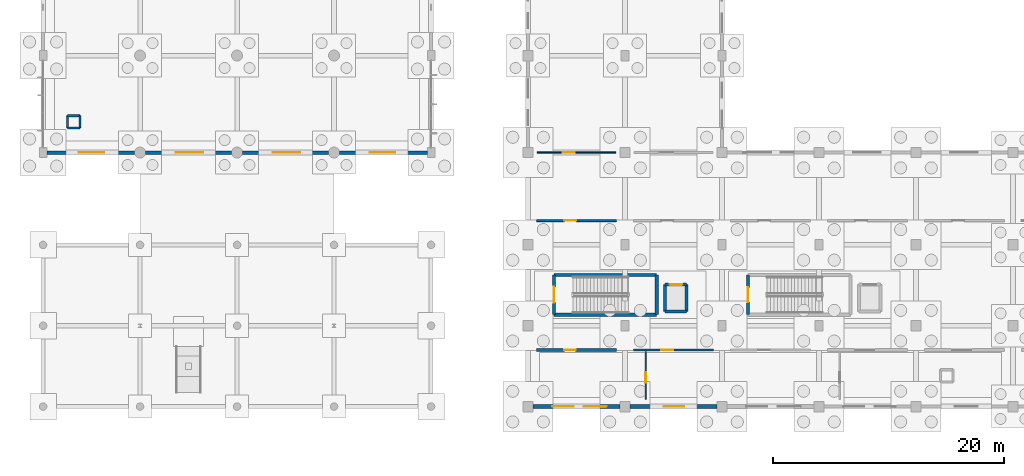
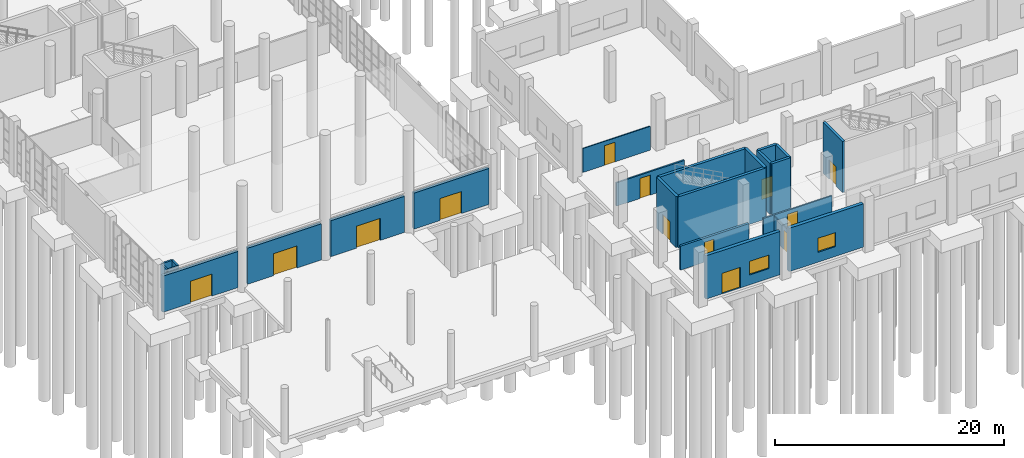
# One storey, part 50 of 83: 24 walls, 13 doors, 2 windows, 15 openings.
"""IFC4 building model written with IfcOpenShell, lengths in metres."""

import ifcopenshell
import ifcopenshell.guid

model = None  # the IFC model being written
_history = None  # IfcOwnerHistory: only IFC2X3 demands one
_inside = {}  # id of a spatial element -> (the spatial element, [elements in it])
_under = {}  # id of a project, library or spatial element -> (it, [spatial elements below it])
_declared = {}  # id of a project -> (the project, [libraries it declares])
_typed = {}  # id of a type object -> (the type object, [elements of that type])
_made_of = {}  # id of a material, layer set ... -> (it, [elements and type objects made of it])


def new_model(schema):
    """Start an empty IFC model of exactly this schema.

    Asked for "IFC4X3", IfcOpenShell would pick the latest addendum, in which some entities
    have other attributes; the version numbers below select the first issue.
    IFC2X3 requires an IfcOwnerHistory on every rooted entity: one is made here for all.
    """
    global model, _history
    if schema == "IFC4X3":
        model = ifcopenshell.file(schema_version=(4, 3, 0, 0))
    else:
        model = ifcopenshell.file(schema=schema)
    _inside.clear()
    _under.clear()
    _declared.clear()
    _typed.clear()
    _made_of.clear()
    _history = None
    if model.schema == "IFC2X3":
        org = make("IfcOrganization", Name="unknown")
        user = make(
            "IfcPersonAndOrganization",
            ThePerson=make("IfcPerson", FamilyName="unknown"),
            TheOrganization=org,
        )
        app = make(
            "IfcApplication",
            ApplicationDeveloper=org,
            Version="unknown",
            ApplicationFullName="unknown",
            ApplicationIdentifier="unknown",
        )
        _history = make(
            "IfcOwnerHistory",
            OwningUser=user,
            OwningApplication=app,
            ChangeAction="ADDED",
            CreationDate=0,
        )
    return model


def make(cls, **values):
    """One entity of the class cls with the attributes given. An attribute that is None is left unset."""
    return model.create_entity(
        cls, **{name: value for name, value in values.items() if value is not None}
    )


def rooted(cls, **values):
    """An entity with a GlobalId (a new one), such as an element, a storey or a relation."""
    return make(cls, GlobalId=ifcopenshell.guid.new(), OwnerHistory=_history, **values)


def si_unit(unit_type, name, prefix=None):
    """IfcSIUnit, for example si_unit("LENGTHUNIT", "METRE", prefix="MILLI")."""
    return make("IfcSIUnit", UnitType=unit_type, Prefix=prefix, Name=name)


def assignment(units):
    """IfcUnitAssignment: the units of a project."""
    return None if units is None else make("IfcUnitAssignment", Units=units)


def point(xyz):
    """IfcCartesianPoint."""
    return None if xyz is None else make("IfcCartesianPoint", Coordinates=xyz)


def direction(xyz):
    """IfcDirection."""
    return None if xyz is None else make("IfcDirection", DirectionRatios=xyz)


def frame(location, z_axis=None, x_axis=None):
    """IfcAxis2Placement3D, a coordinate frame: its origin and axes. An axis left out is left unset."""
    return make(
        "IfcAxis2Placement3D",
        Location=point(location),
        Axis=direction(z_axis),
        RefDirection=direction(x_axis),
    )


def frame_2d(location, x_axis=None):
    """IfcAxis2Placement2D, a coordinate frame in the plane: its origin and x axis."""
    return make(
        "IfcAxis2Placement2D", Location=point(location), RefDirection=direction(x_axis)
    )


def origin():
    """The frame at (0, 0, 0) with its axes left unset."""
    return frame((0.0, 0.0, 0.0))


def place(relative_to, where):
    """IfcLocalPlacement: puts the frame where relative to a parent placement (None: the world)."""
    return make(
        "IfcLocalPlacement", PlacementRelTo=relative_to, RelativePlacement=where
    )


def context(
    kind, dimensions, precision=None, world=None, true_north=None, identifier=None
):
    """IfcGeometricRepresentationContext, for example the 3D "Model" context."""
    return make(
        "IfcGeometricRepresentationContext",
        ContextIdentifier=identifier,
        ContextType=kind,
        CoordinateSpaceDimension=dimensions,
        Precision=precision,
        WorldCoordinateSystem=world,
        TrueNorth=true_north,
    )


def subcontext(parent, identifier, kind, view, scale=None):
    """IfcGeometricRepresentationSubContext, for example "Body" below "Model"."""
    return make(
        "IfcGeometricRepresentationSubContext",
        ContextIdentifier=identifier,
        ContextType=kind,
        ParentContext=parent,
        TargetScale=scale,
        TargetView=view,
    )


def project(units=None, contexts=None):
    """IfcProject with its units and contexts."""
    return rooted(
        "IfcProject",
        Name="project",
        RepresentationContexts=contexts,
        UnitsInContext=assignment(units),
    )


def spatial(cls, under=None, at=None, **own):
    """A site, building, storey or space (cls), placed at a placement, below another one or the project."""
    s = rooted(cls, ObjectPlacement=at, **own)
    if under is not None:
        _under.setdefault(under.id(), (under, []))[1].append(s)
    return s


def profile(cls, at=None, kind="AREA", **sizes):
    """A parametric profile (cls). Its sizes go by their IFC names, for example OverallWidth=200.0."""
    return make(cls, ProfileType=kind, Position=at, **sizes)


def rectangle(**sizes):
    """IfcRectangleProfileDef."""
    return profile("IfcRectangleProfileDef", **sizes)


def extrude(swept, where, along, depth):
    """IfcExtrudedAreaSolid: the profile swept, set in the frame where, extruded along a direction by depth."""
    return make(
        "IfcExtrudedAreaSolid",
        SweptArea=swept,
        Position=where,
        ExtrudedDirection=direction(along),
        Depth=depth,
    )


def shape(context_of_items, identifier, shape_type, items):
    """IfcShapeRepresentation: the items that make up one representation, for example the "Body"."""
    return make(
        "IfcShapeRepresentation",
        ContextOfItems=context_of_items,
        RepresentationIdentifier=identifier,
        RepresentationType=shape_type,
        Items=items,
    )


def material(Name=None, Category=None):
    """IfcMaterial."""
    return make("IfcMaterial", Name=Name, Category=Category)


def layer(
    of_material, thickness, ventilated=None, Name=None, Category=None, Priority=None
):
    """IfcMaterialLayer: one layer of a wall or slab, of a material (None: an air gap)."""
    return make(
        "IfcMaterialLayer",
        Material=of_material,
        LayerThickness=thickness,
        IsVentilated=ventilated,
        Name=Name,
        Category=Category,
        Priority=Priority,
    )


def layer_set(layers, Name=None):
    """IfcMaterialLayerSet."""
    return make("IfcMaterialLayerSet", MaterialLayers=layers, LayerSetName=Name)


def made_of(thing, what):
    """Note that an element or type object is made of a material, layer set ...; save() writes the relation."""
    if what is not None:
        _made_of.setdefault(what.id(), (what, []))[1].append(thing)
    return thing


def type_object(cls, material=None, **own):
    """A type object (cls), such as IfcWallType, which elements share."""
    return made_of(rooted(cls, **own), material)


def element(
    cls,
    number,
    at=None,
    inside=None,
    cuts=None,
    type_object=None,
    material=None,
    context=None,
    identifier="Body",
    shape_type=None,
    held_by="IfcProductDefinitionShape",
    body=None,
    shapes=None,
    **own,
):
    """One element of the class cls, such as IfcWall. Its Tag is "e" and its number.

    at: its placement. inside: the storey or other place that contains it. cuts: it is an
    opening in that element (IfcRelVoidsElement). A single representation is given by context,
    identifier, shape_type and body (its items); several are given by shapes. held_by: the class
    of the entity that holds the representations. save() writes the other relations.
    """
    e = rooted(cls, Tag="e%d" % number, ObjectPlacement=at, **own)
    if body is not None:
        shapes = [shape(context, identifier, shape_type, body)]
    if shapes is not None:
        e.Representation = make(held_by, Representations=shapes)
    if inside is not None:
        _inside.setdefault(inside.id(), (inside, []))[1].append(e)
    if cuts is not None:
        rooted(
            "IfcRelVoidsElement", RelatingBuildingElement=cuts, RelatedOpeningElement=e
        )
    if type_object is not None:
        _typed.setdefault(type_object.id(), (type_object, []))[1].append(e)
    return made_of(e, material)


def fill(opening, filler):
    """IfcRelFillsElement: the door or window that sits in an opening."""
    return rooted(
        "IfcRelFillsElement",
        RelatingOpeningElement=opening,
        RelatedBuildingElement=filler,
    )


def aggregate(whole, parts):
    """IfcRelAggregates: a whole, such as a stair, and the parts it consists of."""
    return rooted("IfcRelAggregates", RelatingObject=whole, RelatedObjects=parts)


def save(model, path):
    """Write the relations noted so far, then the file.

    IfcRelAggregates (storeys below a building ...), IfcRelContainedInSpatialStructure (elements
    in a storey), IfcRelDefinesByType, IfcRelAssociatesMaterial and IfcRelDeclares: one each for
    every whole, place, type object, material and project.
    """
    for whole, parts in _under.values():
        aggregate(whole, parts)
    for where, things in _inside.values():
        rooted(
            "IfcRelContainedInSpatialStructure",
            RelatedElements=things,
            RelatingStructure=where,
        )
    for kind, things in _typed.values():
        rooted("IfcRelDefinesByType", RelatedObjects=things, RelatingType=kind)
    for what, things in _made_of.values():
        rooted("IfcRelAssociatesMaterial", RelatedObjects=things, RelatingMaterial=what)
    for by, libraries in _declared.values():
        rooted("IfcRelDeclares", RelatingContext=by, RelatedDefinitions=libraries)
    model.write(path)


model = new_model("IFC4")

# Units and contexts
model_context = context("Model", 3, precision=1e-05, world=origin(), true_north=direction((0.0, 1.0)))
body_context = subcontext(model_context, "Body", "Model", "MODEL_VIEW")
ifc_project = project(units=[si_unit("LENGTHUNIT", "METRE"), si_unit("AREAUNIT", "SQUARE_METRE"), si_unit("VOLUMEUNIT", "CUBIC_METRE"), si_unit("PLANEANGLEUNIT", "RADIAN"), si_unit("MASSUNIT", "GRAM", prefix="KILO"), si_unit("THERMODYNAMICTEMPERATUREUNIT", "KELVIN"), si_unit("POWERUNIT", "WATT")], contexts=[model_context])

# Site, building, storey
site_placement = place(None, origin())
site = spatial("IfcSite", under=ifc_project, at=site_placement, CompositionType="ELEMENT")
building_placement = place(site_placement, origin())
building = spatial("IfcBuilding", under=site, at=building_placement, Name="Mavoryth Pier Ferry Terminal", CompositionType="ELEMENT")
storey_placement = place(building_placement, origin())
storey = spatial("IfcBuildingStorey", under=building, at=storey_placement, Name="L00", CompositionType="ELEMENT", Elevation=0.0)

# Walls
ifc_material_1 = material(Name="Concrete C35/45", Category="concrete")
ifc_layer_1 = layer(ifc_material_1, 0.260009765625, Name="Concrete C35/45", Category="concrete")
ifc_layer_set_1 = layer_set([ifc_layer_1], Name="Concrete C35/45 - CoreWall-LiftShaft-RC260")
wall_type_1 = type_object("IfcWallType", Name="CoreWall-LiftShaft-RC260", PredefinedType="SHEAR", material=ifc_layer_set_1)
wall_1_placement = place(storey_placement, frame((53.8701171875, 8.219970703125, 0.0), z_axis=(0.0, 0.0, 1.0), x_axis=(1.0, 0.0, 0.0)))
element("IfcWall", 1, at=wall_1_placement, inside=storey, type_object=wall_type_1, Name="Interior Wall IW-L00-0225", PredefinedType="SHEAR", context=body_context, shape_type="SweptSolid", body=[
    extrude(rectangle(XDim=1.85986328125, YDim=0.260009765625, at=frame_2d((0.929931640625, 0.0))), origin(), (0.0, 0.0, 1.0), 5.43994140625),
])
for number, where, z_axis, x_axis, name in (
    (2, (55.72998046875, 8.219970703125, 0.0), (0.0, 0.0, 1.0), (0.0, 1.0, 0.0), "Interior Wall IW-L00-0226"),
    (3, (53.8701171875, 10.580078125, 0.0), (0.0, 0.0, 1.0), (0.0, -1.0, 0.0), "Interior Wall IW-L00-0227"),
):
    element("IfcWall", number, at=place(storey_placement, frame(where, z_axis=z_axis, x_axis=x_axis)), inside=storey, type_object=wall_type_1, Name=name, PredefinedType="SHEAR", context=body_context, shape_type="SweptSolid", body=[
        extrude(rectangle(XDim=2.360107421875, YDim=0.260009765625, at=frame_2d((1.18017578125, 0.0))), origin(), (0.0, 0.0, 1.0), 5.43994140625),
    ])

# Wall, opening, door
wall_2_placement = place(storey_placement, frame((53.8701171875, 10.580078125, 0.0), z_axis=(0.0, 0.0, 1.0), x_axis=(1.0, 0.0, 0.0)))
wall_2 = element("IfcWall", 4, at=wall_2_placement, inside=storey, type_object=wall_type_1, Name="Interior Wall IW-L00-0228", PredefinedType="SHEAR", context=body_context, shape_type="SweptSolid", body=[
    extrude(rectangle(XDim=1.85986328125, YDim=0.260009765625, at=frame_2d((0.929931640625, 0.0))), origin(), (0.0, 0.0, 1.0), 5.43994140625),
])
opening_1_placement = place(wall_2_placement, frame((0.389892578125, 0.0, 0.0)))
opening_1 = element("IfcOpeningElement", 5, at=opening_1_placement, cuts=wall_2, Name="Opening LD03", PredefinedType="OPENING", context=body_context, shape_type="SweptSolid", body=[
    extrude(rectangle(XDim=1.080078125, YDim=2.139892578125, at=frame_2d((0.5400390625, 1.06982421875))), frame((0.0, 0.139892578125, 0.0), z_axis=(0.0, -1.0, 0.0), x_axis=(1.0, 0.0, 0.0)), (0.0, 0.0, 1.0), 0.280029296875),
])
ifc_material_2 = material(Name="EN 81-72 Fire-Rated Lift Landing Door")
door_type_1 = type_object("IfcDoorType", Name="Door-FireLiftLanding-1080x2140", OperationType="NOTDEFINED", PredefinedType="DOOR", material=ifc_material_2)
door_1_placement = place(opening_1_placement, origin())
door_1 = element("IfcDoor", 6, at=door_1_placement, inside=storey, type_object=door_type_1, Name="Lift FL01 Landing Door L00", OperationType="DOUBLE_DOOR_SLIDING", OverallHeight=2.139892578125, OverallWidth=1.080078125, PredefinedType="DOOR", context=body_context, shape_type="SweptSolid", body=[
    extrude(rectangle(XDim=1.080078125, YDim=2.139892578125, at=frame_2d((0.5400390625, 1.06982421875))), frame((0.0, 0.02490234375, 0.0), z_axis=(0.0, -1.0, 0.0), x_axis=(1.0, 0.0, 0.0)), (0.0, 0.0, 1.0), 0.050048828125),
])
fill(opening_1, door_1)

# Walls
ifc_material_3 = material(Name="Concrete C40/50", Category="concrete")
ifc_layer_2 = layer(ifc_material_3, 0.280029296875, Name="Concrete C40/50", Category="concrete")
ifc_layer_set_2 = layer_set([ifc_layer_2], Name="Concrete C40/50 - CoreWall-Shear-RC280")
wall_type_2 = type_object("IfcWallType", Name="CoreWall-Shear-RC280", PredefinedType="SHEAR", material=ifc_layer_set_2)
for number, where, z_axis, x_axis, name in (
    (7, (44.260009765625, 7.9599609375, 0.0), (0.0, 0.0, 1.0), (1.0, 0.0, 0.0), "Interior Wall IW-L00-0205"),
    (8, (44.260009765625, 11.389892578125, 0.0), (0.0, 0.0, 1.0), (1.0, 0.0, 0.0), "Interior Wall IW-L00-0206"),
):
    element("IfcWall", number, at=place(storey_placement, frame(where, z_axis=z_axis, x_axis=x_axis)), inside=storey, type_object=wall_type_2, Name=name, PredefinedType="SHEAR", context=body_context, shape_type="SweptSolid", body=[
        extrude(rectangle(XDim=8.8798828125, YDim=0.280029296875, at=frame_2d((4.43994140625, 0.0))), origin(), (0.0, 0.0, 1.0), 5.43994140625),
    ])

# Wall, opening, door
wall_3_placement = place(storey_placement, frame((44.260009765625, 11.389892578125, 0.0), z_axis=(0.0, 0.0, 1.0), x_axis=(0.0, -1.0, 0.0)))
wall_3 = element("IfcWall", 9, at=wall_3_placement, inside=storey, type_object=wall_type_2, Name="Interior Wall IW-L00-0207", PredefinedType="SHEAR", context=body_context, shape_type="SweptSolid", body=[
    extrude(rectangle(XDim=3.429931640625, YDim=0.280029296875, at=frame_2d((1.71484375, 0.0))), origin(), (0.0, 0.0, 1.0), 5.43994140625),
])
opening_2_placement = place(wall_3_placement, frame((1.034912109375, 0.0, 0.0)))
opening_2 = element("IfcOpeningElement", 10, at=opening_2_placement, cuts=wall_3, Name="Opening ID02-052", PredefinedType="OPENING", context=body_context, shape_type="SweptSolid", body=[
    extrude(rectangle(XDim=1.360107421875, YDim=2.14990234375, at=frame_2d((0.68017578125, 1.074951171875))), frame((0.0, 0.14990234375, 0.0), z_axis=(0.0, -1.0, 0.0), x_axis=(1.0, 0.0, 0.0)), (0.0, 0.0, 1.0), 0.300048828125),
])
ifc_material_4 = material(Name="Painted Galvanised Steel Fire Door", Category="steel")
door_type_2 = type_object("IfcDoorType", Name="Door-StairFire-1360x2150", OperationType="NOTDEFINED", PredefinedType="DOOR", material=ifc_material_4)
door_2_placement = place(opening_2_placement, origin())
door_2 = element("IfcDoor", 11, at=door_2_placement, inside=storey, type_object=door_type_2, Name="Core C5A Stair Exit Door L00", OperationType="SINGLE_SWING_LEFT", OverallHeight=2.14990234375, OverallWidth=1.360107421875, PredefinedType="DOOR", context=body_context, shape_type="SweptSolid", body=[
    extrude(rectangle(XDim=1.360107421875, YDim=2.14990234375, at=frame_2d((0.68017578125, 1.074951171875))), frame((0.0, 0.02490234375, 0.0), z_axis=(0.0, -1.0, 0.0), x_axis=(1.0, 0.0, 0.0)), (0.0, 0.0, 1.0), 0.050048828125),
])
fill(opening_2, door_2)

# Wall
wall_4_placement = place(storey_placement, frame((53.139892578125, 7.9599609375, 0.0), z_axis=(0.0, 0.0, 1.0), x_axis=(0.0, 1.0, 0.0)))
element("IfcWall", 12, at=wall_4_placement, inside=storey, type_object=wall_type_2, Name="Interior Wall IW-L00-0208", PredefinedType="SHEAR", context=body_context, shape_type="SweptSolid", body=[
    extrude(rectangle(XDim=3.429931640625, YDim=0.280029296875, at=frame_2d((1.71484375, 0.0))), origin(), (0.0, 0.0, 1.0), 5.43994140625),
])

# Wall, opening, door
wall_5_placement = place(storey_placement, frame((61.06005859375, 11.389892578125, 0.0), z_axis=(0.0, 0.0, 1.0), x_axis=(0.0, -1.0, 0.0)))
wall_5 = element("IfcWall", 13, at=wall_5_placement, inside=storey, type_object=wall_type_2, Name="Interior Wall IW-L00-0247", PredefinedType="SHEAR", context=body_context, shape_type="SweptSolid", body=[
    extrude(rectangle(XDim=3.429931640625, YDim=0.280029296875, at=frame_2d((1.71484375, 0.0))), origin(), (0.0, 0.0, 1.0), 5.43994140625),
])
opening_3_placement = place(wall_5_placement, frame((1.074951171875, 0.0, 0.0)))
opening_3 = element("IfcOpeningElement", 14, at=opening_3_placement, cuts=wall_5, Name="Opening ID03-062", PredefinedType="OPENING", context=body_context, shape_type="SweptSolid", body=[
    extrude(rectangle(XDim=1.280029296875, YDim=2.10009765625, at=frame_2d((0.64013671875, 1.050048828125))), frame((0.0, 0.14990234375, 0.0), z_axis=(0.0, -1.0, 0.0), x_axis=(1.0, 0.0, 0.0)), (0.0, 0.0, 1.0), 0.300048828125),
])
door_type_3 = type_object("IfcDoorType", Name="Door-StairFire-1280x2100", OperationType="NOTDEFINED", PredefinedType="DOOR", material=ifc_material_4)
door_3_placement = place(opening_3_placement, origin())
door_3 = element("IfcDoor", 15, at=door_3_placement, inside=storey, type_object=door_type_3, Name="Core C5B Stair Exit Door L00", OperationType="SINGLE_SWING_RIGHT", OverallHeight=2.10009765625, OverallWidth=1.280029296875, PredefinedType="DOOR", context=body_context, shape_type="SweptSolid", body=[
    extrude(rectangle(XDim=1.280029296875, YDim=2.10009765625, at=frame_2d((0.64013671875, 1.050048828125))), frame((0.0, 0.02490234375, 0.0), z_axis=(0.0, -1.0, 0.0), x_axis=(1.0, 0.0, 0.0)), (0.0, 0.0, 1.0), 0.050048828125),
])
fill(opening_3, door_3)

ifc_layer_3 = layer(ifc_material_1, 0.31005859375, Name="Concrete C35/45", Category="concrete")
ifc_layer_set_3 = layer_set([ifc_layer_3], Name="Concrete C35/45 - ExtWall-Insul-RC310")
wall_type_3 = type_object("IfcWallType", Name="ExtWall-Insul-RC310", PredefinedType="SOLIDWALL", material=ifc_layer_set_3)
wall_6_placement = place(storey_placement, frame((0.324951171875, 22.0, 0.0), z_axis=(0.0, 0.0, 1.0), x_axis=(1.0, 0.0, 0.0)))
wall_6 = element("IfcWall", 16, at=wall_6_placement, inside=storey, type_object=wall_type_3, Name="Exterior Wall EW-L00-001", PredefinedType="SOLIDWALL", context=body_context, shape_type="SweptSolid", body=[
    extrude(rectangle(XDim=7.60009765625, YDim=0.31005859375, at=frame_2d((3.800048828125, 0.0))), origin(), (0.0, 0.0, 1.0), 3.85009765625),
])
opening_4_placement = place(wall_6_placement, frame((2.764892578125, 0.0, 0.0)))
opening_4 = element("IfcOpeningElement", 17, at=opening_4_placement, cuts=wall_6, Name="Opening ED02-001", PredefinedType="OPENING", context=body_context, shape_type="SweptSolid", body=[
    extrude(rectangle(XDim=2.199951171875, YDim=2.35009765625, at=frame_2d((1.10009765625, 1.175048828125))), frame((0.0, 0.1650390625, 0.0), z_axis=(0.0, -1.0, 0.0), x_axis=(1.0, 0.0, 0.0)), (0.0, 0.0, 1.0), 0.330078125),
])
ifc_material_5 = material(Name="Thermally Broken Anodised Aluminium and Laminated Glass", Category="aluminium")
door_type_4 = type_object("IfcDoorType", Name="ExtDoor-MainSlide-2200x2350", OperationType="NOTDEFINED", PredefinedType="DOOR", material=ifc_material_5)
door_4_placement = place(opening_4_placement, origin())
door_4 = element("IfcDoor", 18, at=door_4_placement, inside=storey, type_object=door_type_4, Name="Exterior Pedestrian Exit Door ED02-001", OperationType="DOUBLE_DOOR_SLIDING", OverallHeight=2.35009765625, OverallWidth=2.199951171875, PredefinedType="DOOR", context=body_context, shape_type="SweptSolid", body=[
    extrude(rectangle(XDim=2.199951171875, YDim=2.35009765625, at=frame_2d((1.10009765625, 1.175048828125))), frame((0.0, 0.02490234375, 0.0), z_axis=(0.0, -1.0, 0.0), x_axis=(1.0, 0.0, 0.0)), (0.0, 0.0, 1.0), 0.050048828125),
])
fill(opening_4, door_4)

wall_7_placement = place(storey_placement, frame((8.875, 22.0, 0.0), z_axis=(0.0, 0.0, 1.0), x_axis=(1.0, 0.0, 0.0)))
wall_7 = element("IfcWall", 19, at=wall_7_placement, inside=storey, type_object=wall_type_3, Name="Exterior Wall EW-L00-003", PredefinedType="SOLIDWALL", context=body_context, shape_type="SweptSolid", body=[
    extrude(rectangle(XDim=7.449951171875, YDim=0.31005859375, at=frame_2d((3.72509765625, 0.0))), origin(), (0.0, 0.0, 1.0), 3.85009765625),
])
opening_5_placement = place(wall_7_placement, frame((2.614990234375, 0.0, 0.0)))
opening_5 = element("IfcOpeningElement", 20, at=opening_5_placement, cuts=wall_7, Name="Opening ED01-003", PredefinedType="OPENING", context=body_context, shape_type="SweptSolid", body=[
    extrude(rectangle(XDim=2.39990234375, YDim=2.35009765625, at=frame_2d((1.199951171875, 1.175048828125))), frame((0.0, 0.1650390625, 0.0), z_axis=(0.0, -1.0, 0.0), x_axis=(1.0, 0.0, 0.0)), (0.0, 0.0, 1.0), 0.330078125),
])
door_type_5 = type_object("IfcDoorType", Name="ExtDoor-MainSlide-2400x2350", OperationType="NOTDEFINED", PredefinedType="DOOR", material=ifc_material_5)
door_5_placement = place(opening_5_placement, origin())
door_5 = element("IfcDoor", 21, at=door_5_placement, inside=storey, type_object=door_type_5, Name="Exterior Pedestrian Exit Door ED01-003", OperationType="DOUBLE_DOOR_SLIDING", OverallHeight=2.35009765625, OverallWidth=2.39990234375, PredefinedType="DOOR", context=body_context, shape_type="SweptSolid", body=[
    extrude(rectangle(XDim=2.39990234375, YDim=2.35009765625, at=frame_2d((1.199951171875, 1.175048828125))), frame((0.0, 0.02490234375, 0.0), z_axis=(0.0, -1.0, 0.0), x_axis=(1.0, 0.0, 0.0)), (0.0, 0.0, 1.0), 0.050048828125),
])
fill(opening_5, door_5)

wall_8_placement = place(storey_placement, frame((17.27490234375, 22.0, 0.0), z_axis=(0.0, 0.0, 1.0), x_axis=(1.0, 0.0, 0.0)))
wall_8 = element("IfcWall", 22, at=wall_8_placement, inside=storey, type_object=wall_type_3, Name="Exterior Wall EW-L00-005", PredefinedType="SOLIDWALL", context=body_context, shape_type="SweptSolid", body=[
    extrude(rectangle(XDim=7.4501953125, YDim=0.31005859375, at=frame_2d((3.72509765625, 0.0))), origin(), (0.0, 0.0, 1.0), 3.85009765625),
])
opening_6_placement = place(wall_8_placement, frame((2.614990234375, 0.0, 0.0)))
opening_6 = element("IfcOpeningElement", 23, at=opening_6_placement, cuts=wall_8, Name="Opening ED01-005", PredefinedType="OPENING", context=body_context, shape_type="SweptSolid", body=[
    extrude(rectangle(XDim=2.39990234375, YDim=2.35009765625, at=frame_2d((1.199951171875, 1.175048828125))), frame((0.0, 0.1650390625, 0.0), z_axis=(0.0, -1.0, 0.0), x_axis=(1.0, 0.0, 0.0)), (0.0, 0.0, 1.0), 0.330078125),
])
door_6_placement = place(opening_6_placement, origin())
door_6 = element("IfcDoor", 24, at=door_6_placement, inside=storey, type_object=door_type_5, Name="Exterior Pedestrian Exit Door ED01-005", OperationType="DOUBLE_DOOR_SLIDING", OverallHeight=2.35009765625, OverallWidth=2.39990234375, PredefinedType="DOOR", context=body_context, shape_type="SweptSolid", body=[
    extrude(rectangle(XDim=2.39990234375, YDim=2.35009765625, at=frame_2d((1.199951171875, 1.175048828125))), frame((0.0, 0.02490234375, 0.0), z_axis=(0.0, -1.0, 0.0), x_axis=(1.0, 0.0, 0.0)), (0.0, 0.0, 1.0), 0.050048828125),
])
fill(opening_6, door_6)

wall_9_placement = place(storey_placement, frame((25.675048828125, 22.0, 0.0), z_axis=(0.0, 0.0, 1.0), x_axis=(1.0, 0.0, 0.0)))
wall_9 = element("IfcWall", 25, at=wall_9_placement, inside=storey, type_object=wall_type_3, Name="Exterior Wall EW-L00-007", PredefinedType="SOLIDWALL", context=body_context, shape_type="SweptSolid", body=[
    extrude(rectangle(XDim=7.599853515625, YDim=0.31005859375, at=frame_2d((3.7998046875, 0.0))), origin(), (0.0, 0.0, 1.0), 3.85009765625),
])
opening_7_placement = place(wall_9_placement, frame((2.614990234375, 0.0, 0.0)))
opening_7 = element("IfcOpeningElement", 26, at=opening_7_placement, cuts=wall_9, Name="Opening ED02-007", PredefinedType="OPENING", context=body_context, shape_type="SweptSolid", body=[
    extrude(rectangle(XDim=2.199951171875, YDim=2.35009765625, at=frame_2d((1.10009765625, 1.175048828125))), frame((0.0, 0.1650390625, 0.0), z_axis=(0.0, -1.0, 0.0), x_axis=(1.0, 0.0, 0.0)), (0.0, 0.0, 1.0), 0.330078125),
])
door_7_placement = place(opening_7_placement, origin())
door_7 = element("IfcDoor", 27, at=door_7_placement, inside=storey, type_object=door_type_4, Name="Exterior Pedestrian Exit Door ED02-007", OperationType="DOUBLE_DOOR_SLIDING", OverallHeight=2.35009765625, OverallWidth=2.199951171875, PredefinedType="DOOR", context=body_context, shape_type="SweptSolid", body=[
    extrude(rectangle(XDim=2.199951171875, YDim=2.35009765625, at=frame_2d((1.10009765625, 1.175048828125))), frame((0.0, 0.02490234375, 0.0), z_axis=(0.0, -1.0, 0.0), x_axis=(1.0, 0.0, 0.0)), (0.0, 0.0, 1.0), 0.050048828125),
])
fill(opening_7, door_7)

# Wall, openings, door, window
ifc_layer_4 = layer(ifc_material_1, 0.340087890625, Name="Concrete C35/45", Category="concrete")
ifc_layer_set_4 = layer_set([ifc_layer_4], Name="Concrete C35/45 - ExtWall-Plinth-RC340")
wall_type_4 = type_object("IfcWallType", Name="ExtWall-Plinth-RC340", PredefinedType="SOLIDWALL", material=ifc_layer_set_4)
wall_10_placement = place(storey_placement, frame((42.449951171875, 0.0, 0.0), z_axis=(0.0, 0.0, 1.0), x_axis=(1.0, 0.0, 0.0)))
wall_10 = element("IfcWall", 28, at=wall_10_placement, inside=storey, type_object=wall_type_4, Name="Exterior Wall EW-L00-139", PredefinedType="SOLIDWALL", context=body_context, shape_type="SweptSolid", body=[
    extrude(rectangle(XDim=7.5, YDim=0.340087890625, at=frame_2d((3.75, 0.0))), origin(), (0.0, 0.0, 1.0), 4.625),
])
opening_8_placement = place(wall_10_placement, frame((1.639892578125, 0.0, 0.0)))
opening_8 = element("IfcOpeningElement", 29, at=opening_8_placement, cuts=wall_10, Name="Opening ED04-029", PredefinedType="OPENING", context=body_context, shape_type="SweptSolid", body=[
    extrude(rectangle(XDim=1.85009765625, YDim=2.199951171875, at=frame_2d((0.925048828125, 1.10009765625))), frame((0.0, 0.179931640625, 0.0), z_axis=(0.0, -1.0, 0.0), x_axis=(1.0, 0.0, 0.0)), (0.0, 0.0, 1.0), 0.360107421875),
])
opening_9_placement = place(wall_10_placement, frame((4.389892578125, 0.0, 1.050048828125)))
opening_9 = element("IfcOpeningElement", 30, at=opening_9_placement, cuts=wall_10, Name="Opening WN04", PredefinedType="OPENING", context=body_context, shape_type="SweptSolid", body=[
    extrude(rectangle(XDim=2.0, YDim=1.449951171875, at=frame_2d((1.0, 0.72509765625))), frame((0.0, 0.179931640625, 0.0), z_axis=(0.0, -1.0, 0.0), x_axis=(1.0, 0.0, 0.0)), (0.0, 0.0, 1.0), 0.360107421875),
])
door_type_6 = type_object("IfcDoorType", Name="ExtDoor-ExitDouble-1850x2200", OperationType="NOTDEFINED", PredefinedType="DOOR", material=ifc_material_5)
door_8_placement = place(opening_8_placement, origin())
door_8 = element("IfcDoor", 31, at=door_8_placement, inside=storey, type_object=door_type_6, Name="Exterior Pedestrian Exit Door ED04-029", OperationType="DOUBLE_DOOR_SINGLE_SWING", OverallHeight=2.199951171875, OverallWidth=1.85009765625, PredefinedType="DOOR", context=body_context, shape_type="SweptSolid", body=[
    extrude(rectangle(XDim=1.85009765625, YDim=2.199951171875, at=frame_2d((0.925048828125, 1.10009765625))), frame((0.0, 0.02490234375, 0.0), z_axis=(0.0, -1.0, 0.0), x_axis=(1.0, 0.0, 0.0)), (0.0, 0.0, 1.0), 0.050048828125),
])
fill(opening_8, door_8)
ifc_material_6 = material(Name="Thermally Broken Aluminium and Low-E Double Glazing", Category="aluminium")
window_type_1 = type_object("IfcWindowType", Name="Win-Ops-2000x1450", PartitioningType="DOUBLE_PANEL_VERTICAL", PredefinedType="WINDOW", material=ifc_material_6)
window_1_placement = place(opening_9_placement, origin())
window_1 = element("IfcWindow", 32, at=window_1_placement, inside=storey, type_object=window_type_1, Name="Exterior Window 49", OverallHeight=1.449951171875, OverallWidth=2.0, PartitioningType="DOUBLE_PANEL_VERTICAL", PredefinedType="WINDOW", context=body_context, shape_type="SweptSolid", body=[
    extrude(rectangle(XDim=2.0, YDim=1.449951171875, at=frame_2d((1.0, 0.72509765625))), frame((0.0, 0.030029296875, 0.0), z_axis=(0.0, -1.0, 0.0), x_axis=(1.0, 0.0, 0.0)), (0.0, 0.0, 1.0), 0.06005859375),
])
fill(opening_9, window_1)

# Wall, opening, window
wall_11_placement = place(storey_placement, frame((50.85009765625, 0.0, 0.0), z_axis=(0.0, 0.0, 1.0), x_axis=(1.0, 0.0, 0.0)))
wall_11 = element("IfcWall", 33, at=wall_11_placement, inside=storey, type_object=wall_type_4, Name="Exterior Wall EW-L00-140", PredefinedType="SOLIDWALL", context=body_context, shape_type="SweptSolid", body=[
    extrude(rectangle(XDim=7.5, YDim=0.340087890625, at=frame_2d((3.75, 0.0))), origin(), (0.0, 0.0, 1.0), 4.625),
])
opening_10_placement = place(wall_11_placement, frame((2.889892578125, 0.0, 1.050048828125)))
opening_10 = element("IfcOpeningElement", 34, at=opening_10_placement, cuts=wall_11, Name="Opening WN01", PredefinedType="OPENING", context=body_context, shape_type="SweptSolid", body=[
    extrude(rectangle(XDim=1.800048828125, YDim=1.5, at=frame_2d((0.89990234375, 0.75))), frame((0.0, 0.179931640625, 0.0), z_axis=(0.0, -1.0, 0.0), x_axis=(1.0, 0.0, 0.0)), (0.0, 0.0, 1.0), 0.360107421875),
])
window_type_2 = type_object("IfcWindowType", Name="Win-Ops-1800x1500", PartitioningType="DOUBLE_PANEL_VERTICAL", PredefinedType="WINDOW", material=ifc_material_6)
window_2_placement = place(opening_10_placement, origin())
window_2 = element("IfcWindow", 35, at=window_2_placement, inside=storey, type_object=window_type_2, Name="Exterior Window 50", OverallHeight=1.5, OverallWidth=1.800048828125, PartitioningType="DOUBLE_PANEL_VERTICAL", PredefinedType="WINDOW", context=body_context, shape_type="SweptSolid", body=[
    extrude(rectangle(XDim=1.800048828125, YDim=1.5, at=frame_2d((0.89990234375, 0.75))), frame((0.0, 0.030029296875, 0.0), z_axis=(0.0, -1.0, 0.0), x_axis=(1.0, 0.0, 0.0)), (0.0, 0.0, 1.0), 0.06005859375),
])
fill(opening_10, window_2)

# Wall, opening, door
ifc_layer_5 = layer(ifc_material_1, 0.219970703125, Name="Concrete C35/45", Category="concrete")
ifc_layer_set_5 = layer_set([ifc_layer_5], Name="Concrete C35/45 - IntWall-FireComp-220")
wall_type_5 = type_object("IfcWallType", Name="IntWall-FireComp-220", PredefinedType="SOLIDWALL", material=ifc_layer_set_5)
wall_12_placement = place(storey_placement, frame((42.75, 4.89990234375, 0.0), z_axis=(0.0, 0.0, 1.0), x_axis=(1.0, 0.0, 0.0)))
wall_12 = element("IfcWall", 36, at=wall_12_placement, inside=storey, type_object=wall_type_5, Name="Interior Wall IW-L00-0439", PredefinedType="SOLIDWALL", context=body_context, shape_type="SweptSolid", body=[
    extrude(rectangle(XDim=6.89990234375, YDim=0.219970703125, at=frame_2d((3.449951171875, 0.0))), origin(), (0.0, 0.0, 1.0), 2.550048828125),
])
opening_11_placement = place(wall_12_placement, frame((2.39990234375, 0.0, 0.0)))
opening_11 = element("IfcOpeningElement", 37, at=opening_11_placement, cuts=wall_12, Name="Opening ID09-108", PredefinedType="OPENING", context=body_context, shape_type="SweptSolid", body=[
    extrude(rectangle(XDim=0.97998046875, YDim=2.1201171875, at=frame_2d((0.489990234375, 1.06005859375))), frame((0.0, 0.119873046875, 0.0), z_axis=(0.0, -1.0, 0.0), x_axis=(1.0, 0.0, 0.0)), (0.0, 0.0, 1.0), 0.239990234375),
])
ifc_material_7 = material(Name="Solid-Core Oak Veneer Timber Door", Category="wood")
door_type_7 = type_object("IfcDoorType", Name="Door-RoomSingle-980x2120", OperationType="NOTDEFINED", PredefinedType="DOOR", material=ifc_material_7)
door_9_placement = place(opening_11_placement, origin())
door_9 = element("IfcDoor", 38, at=door_9_placement, inside=storey, type_object=door_type_7, Name="Interior Door ID09-108", OperationType="SINGLE_SWING_RIGHT", OverallHeight=2.1201171875, OverallWidth=0.97998046875, PredefinedType="DOOR", context=body_context, shape_type="SweptSolid", body=[
    extrude(rectangle(XDim=0.97998046875, YDim=2.1201171875, at=frame_2d((0.489990234375, 1.06005859375))), frame((0.0, 0.02490234375, 0.0), z_axis=(0.0, -1.0, 0.0), x_axis=(1.0, 0.0, 0.0)), (0.0, 0.0, 1.0), 0.050048828125),
])
fill(opening_11, door_9)

# Walls
ifc_material_8 = material(Name="Autoclaved Aerated Concrete Blockwork", Category="masonry")
ifc_layer_6 = layer(ifc_material_8, 0.179931640625, Name="Autoclaved Aerated Concrete Blockwork", Category="masonry")
ifc_layer_set_6 = layer_set([ifc_layer_6], Name="Autoclaved Aerated Concrete Blockwork - IntWall-PlantRated-180")
wall_type_6 = type_object("IfcWallType", Name="IntWall-PlantRated-180", PredefinedType="SOLIDWALL", material=ifc_layer_set_6)
for number, where, z_axis, x_axis, name in (
    (39, (2.110107421875, 24.110107421875, 0.0), (0.0, 0.0, 1.0), (1.0, 0.0, 0.0), "Interior Wall IW-L00-0317"),
    (40, (3.18994140625, 24.110107421875, 0.0), (0.0, 0.0, 1.0), (0.0, 1.0, 0.0), "Interior Wall IW-L00-0318"),
    (41, (3.18994140625, 25.18994140625, 0.0), (0.0, 0.0, 1.0), (-1.0, 0.0, 0.0), "Interior Wall IW-L00-0319"),
    (42, (2.110107421875, 25.18994140625, 0.0), (0.0, 0.0, 1.0), (0.0, -1.0, 0.0), "Interior Wall IW-L00-0320"),
):
    element("IfcWall", number, at=place(storey_placement, frame(where, z_axis=z_axis, x_axis=x_axis)), inside=storey, type_object=wall_type_6, Name=name, PredefinedType="SOLIDWALL", context=body_context, shape_type="SweptSolid", body=[
        extrude(rectangle(XDim=1.079833984375, YDim=0.179931640625, at=frame_2d((0.5400390625, 0.0))), origin(), (0.0, 0.0, 1.0), 2.60009765625),
    ])

# Wall, opening, door
ifc_material_9 = material(Name="Double-Stud Acoustic Gypsum Partition")
ifc_layer_7 = layer(ifc_material_9, 0.159912109375, Name="Double-Stud Acoustic Gypsum Partition")
ifc_layer_set_7 = layer_set([ifc_layer_7], Name="Double-Stud Acoustic Gypsum Partition - Part-Acoustic-160")
wall_type_7 = type_object("IfcWallType", Name="Part-Acoustic-160", PredefinedType="PARTITIONING", material=ifc_layer_set_7)
wall_13_placement = place(storey_placement, frame((42.75, 16.10009765625, 0.0), z_axis=(0.0, 0.0, 1.0), x_axis=(1.0, 0.0, 0.0)))
wall_13 = element("IfcWall", 43, at=wall_13_placement, inside=storey, type_object=wall_type_7, Name="Interior Wall IW-L00-0440", PredefinedType="PARTITIONING", context=body_context, shape_type="SweptSolid", body=[
    extrude(rectangle(XDim=6.89990234375, YDim=0.159912109375, at=frame_2d((3.449951171875, 0.0))), origin(), (0.0, 0.0, 1.0), 2.5),
])
opening_12_placement = place(wall_13_placement, frame((2.39990234375, 0.0, 0.0)))
opening_12 = element("IfcOpeningElement", 44, at=opening_12_placement, cuts=wall_13, Name="Opening ID08-109", PredefinedType="OPENING", context=body_context, shape_type="SweptSolid", body=[
    extrude(rectangle(XDim=1.0400390625, YDim=2.139892578125, at=frame_2d((0.52001953125, 1.06982421875))), frame((0.0, 0.08984375, 0.0), z_axis=(0.0, -1.0, 0.0), x_axis=(1.0, 0.0, 0.0)), (0.0, 0.0, 1.0), 0.179931640625),
])
door_type_8 = type_object("IfcDoorType", Name="Door-RoomSingle-1040x2140", OperationType="NOTDEFINED", PredefinedType="DOOR", material=ifc_material_7)
door_10_placement = place(opening_12_placement, origin())
door_10 = element("IfcDoor", 45, at=door_10_placement, inside=storey, type_object=door_type_8, Name="Interior Door ID08-109", OperationType="SINGLE_SWING_LEFT", OverallHeight=2.139892578125, OverallWidth=1.0400390625, PredefinedType="DOOR", context=body_context, shape_type="SweptSolid", body=[
    extrude(rectangle(XDim=1.0400390625, YDim=2.139892578125, at=frame_2d((0.52001953125, 1.06982421875))), frame((0.0, 0.02490234375, 0.0), z_axis=(0.0, -1.0, 0.0), x_axis=(1.0, 0.0, 0.0)), (0.0, 0.0, 1.0), 0.050048828125),
])
fill(opening_12, door_10)

ifc_material_10 = material(Name="Fire-Rated Gypsum Stud Partition")
ifc_layer_8 = layer(ifc_material_10, 0.139892578125, Name="Fire-Rated Gypsum Stud Partition")
ifc_layer_set_8 = layer_set([ifc_layer_8], Name="Fire-Rated Gypsum Stud Partition - Part-Corridor-140")
wall_type_8 = type_object("IfcWallType", Name="Part-Corridor-140", PredefinedType="PARTITIONING", material=ifc_layer_set_8)
wall_14_placement = place(storey_placement, frame((51.14990234375, 4.89990234375, 0.0), z_axis=(0.0, 0.0, 1.0), x_axis=(1.0, 0.0, 0.0)))
wall_14 = element("IfcWall", 46, at=wall_14_placement, inside=storey, type_object=wall_type_8, Name="Interior Wall IW-L00-0441", PredefinedType="PARTITIONING", context=body_context, shape_type="SweptSolid", body=[
    extrude(rectangle(XDim=6.900146484375, YDim=0.139892578125, at=frame_2d((3.4501953125, 0.0))), origin(), (0.0, 0.0, 1.0), 2.550048828125),
])
opening_13_placement = place(wall_14_placement, frame((2.39990234375, 0.0, 0.0)))
opening_13 = element("IfcOpeningElement", 47, at=opening_13_placement, cuts=wall_14, Name="Opening ID08-110", PredefinedType="OPENING", context=body_context, shape_type="SweptSolid", body=[
    extrude(rectangle(XDim=1.0400390625, YDim=2.139892578125, at=frame_2d((0.52001953125, 1.06982421875))), frame((0.0, 0.079833984375, 0.0), z_axis=(0.0, -1.0, 0.0), x_axis=(1.0, 0.0, 0.0)), (0.0, 0.0, 1.0), 0.159912109375),
])
door_11_placement = place(opening_13_placement, origin())
door_11 = element("IfcDoor", 48, at=door_11_placement, inside=storey, type_object=door_type_8, Name="Interior Door ID08-110", OperationType="SINGLE_SWING_RIGHT", OverallHeight=2.139892578125, OverallWidth=1.0400390625, PredefinedType="DOOR", context=body_context, shape_type="SweptSolid", body=[
    extrude(rectangle(XDim=1.0400390625, YDim=2.139892578125, at=frame_2d((0.52001953125, 1.06982421875))), frame((0.0, 0.02490234375, 0.0), z_axis=(0.0, -1.0, 0.0), x_axis=(1.0, 0.0, 0.0)), (0.0, 0.0, 1.0), 0.050048828125),
])
fill(opening_13, door_11)

ifc_material_11 = material(Name="Metal-Stud Gypsum Partition")
ifc_layer_9 = layer(ifc_material_11, 0.1201171875, Name="Metal-Stud Gypsum Partition")
ifc_layer_set_9 = layer_set([ifc_layer_9], Name="Metal-Stud Gypsum Partition - Part-Standard-120")
wall_type_9 = type_object("IfcWallType", Name="Part-Standard-120", PredefinedType="PARTITIONING", material=ifc_layer_set_9)
wall_15_placement = place(storey_placement, frame((52.199951171875, 0.64990234375, 0.0), z_axis=(0.0, 0.0, 1.0), x_axis=(0.0, 1.0, 0.0)))
wall_15 = element("IfcWall", 49, at=wall_15_placement, inside=storey, type_object=wall_type_9, Name="Interior Wall IW-L00-0442", PredefinedType="PARTITIONING", context=body_context, shape_type="SweptSolid", body=[
    extrude(rectangle(XDim=4.10009765625, YDim=0.1201171875, at=frame_2d((2.050048828125, 0.0))), origin(), (0.0, 0.0, 1.0), 2.5),
])
opening_14_placement = place(wall_15_placement, frame((1.39990234375, 0.0, 0.0)))
opening_14 = element("IfcOpeningElement", 50, at=opening_14_placement, cuts=wall_15, Name="Opening ID10-111", PredefinedType="OPENING", context=body_context, shape_type="SweptSolid", body=[
    extrude(rectangle(XDim=0.93994140625, YDim=2.080078125, at=frame_2d((0.469970703125, 1.0400390625))), frame((0.0, 0.070068359375, 0.0), z_axis=(0.0, -1.0, 0.0), x_axis=(1.0, 0.0, 0.0)), (0.0, 0.0, 1.0), 0.14013671875),
])
door_type_9 = type_object("IfcDoorType", Name="Door-RoomSingle-940x2080", OperationType="NOTDEFINED", PredefinedType="DOOR", material=ifc_material_7)
door_12_placement = place(opening_14_placement, origin())
door_12 = element("IfcDoor", 51, at=door_12_placement, inside=storey, type_object=door_type_9, Name="Interior Door ID10-111", OperationType="SINGLE_SWING_LEFT", OverallHeight=2.080078125, OverallWidth=0.93994140625, PredefinedType="DOOR", context=body_context, shape_type="SweptSolid", body=[
    extrude(rectangle(XDim=0.93994140625, YDim=2.080078125, at=frame_2d((0.469970703125, 1.0400390625))), frame((0.0, 0.02490234375, 0.0), z_axis=(0.0, -1.0, 0.0), x_axis=(1.0, 0.0, 0.0)), (0.0, 0.0, 1.0), 0.050048828125),
])
fill(opening_14, door_12)

ifc_material_12 = material(Name="Moisture-Resistant Cement-Board Partition")
ifc_layer_10 = layer(ifc_material_12, 0.10009765625, Name="Moisture-Resistant Cement-Board Partition")
ifc_layer_set_10 = layer_set([ifc_layer_10], Name="Moisture-Resistant Cement-Board Partition - Part-WetArea-100")
wall_type_10 = type_object("IfcWallType", Name="Part-WetArea-100", PredefinedType="PARTITIONING", material=ifc_layer_set_10)
wall_16_placement = place(storey_placement, frame((42.800048828125, 22.0, 0.0), z_axis=(0.0, 0.0, 1.0), x_axis=(1.0, 0.0, 0.0)))
wall_16 = element("IfcWall", 52, at=wall_16_placement, inside=storey, type_object=wall_type_10, Name="Interior Wall IW-L00-0505", PredefinedType="PARTITIONING", context=body_context, shape_type="SweptSolid", body=[
    extrude(rectangle(XDim=6.800048828125, YDim=0.10009765625, at=frame_2d((3.39990234375, 0.0))), origin(), (0.0, 0.0, 1.0), 2.550048828125),
])
opening_15_placement = place(wall_16_placement, frame((2.199951171875, 0.0, 0.0)))
opening_15 = element("IfcOpeningElement", 53, at=opening_15_placement, cuts=wall_16, Name="Opening ID11-174", PredefinedType="OPENING", context=body_context, shape_type="SweptSolid", body=[
    extrude(rectangle(XDim=1.06005859375, YDim=2.10009765625, at=frame_2d((0.530029296875, 1.050048828125))), frame((0.0, 0.06005859375, 0.0), z_axis=(0.0, -1.0, 0.0), x_axis=(1.0, 0.0, 0.0)), (0.0, 0.0, 1.0), 0.1201171875),
])
ifc_material_13 = material(Name="High-Pressure Laminate Accessible Door")
door_type_10 = type_object("IfcDoorType", Name="Door-AccessibleWC-1060x2100", OperationType="NOTDEFINED", PredefinedType="DOOR", material=ifc_material_13)
door_13_placement = place(opening_15_placement, origin())
door_13 = element("IfcDoor", 54, at=door_13_placement, inside=storey, type_object=door_type_10, Name="Operations Ground Accessible WC Door", OperationType="SINGLE_SWING_LEFT", OverallHeight=2.10009765625, OverallWidth=1.06005859375, PredefinedType="DOOR", context=body_context, shape_type="SweptSolid", body=[
    extrude(rectangle(XDim=1.06005859375, YDim=2.10009765625, at=frame_2d((0.530029296875, 1.050048828125))), frame((0.0, 0.02490234375, 0.0), z_axis=(0.0, -1.0, 0.0), x_axis=(1.0, 0.0, 0.0)), (0.0, 0.0, 1.0), 0.050048828125),
])
fill(opening_15, door_13)

save(model, "model.ifc")
